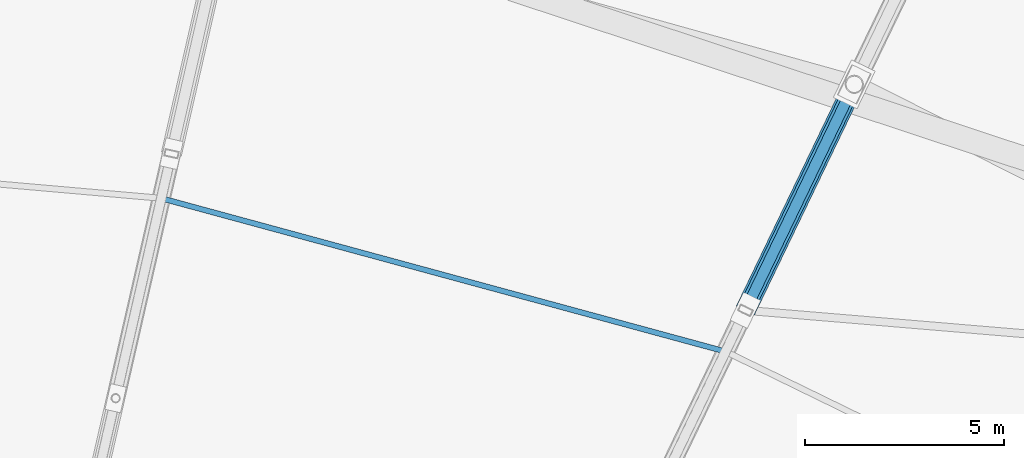
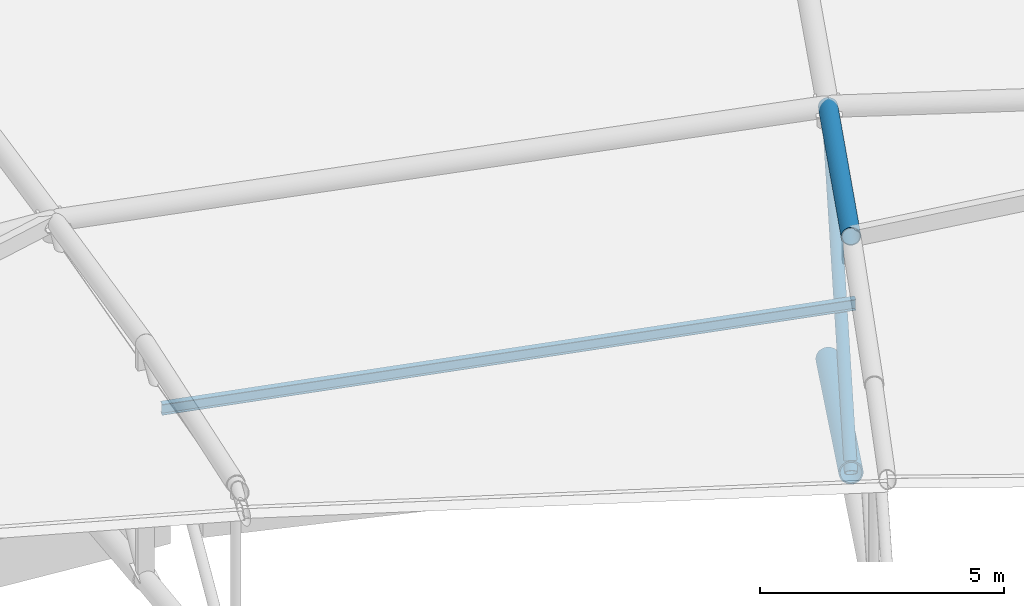
# One storey, part 58 of 108: 4 members.
"""IFC4 building model written with IfcOpenShell, lengths in metres."""

from ifc_helpers import new_model, si_unit, direction, frame, origin, origin_2d, place, context, subcontext, project, spatial, hollow_circle, i_section, extrude, material, material_profile, profile_set, type_object, element, save


model = new_model("IFC4")

# Units and contexts
model_context = context("Model", 3, precision=1e-05, world=origin(), true_north=direction((0.0, 1.0)))
body_context = subcontext(model_context, "Body", "Model", "MODEL_VIEW")
ifc_project = project(units=[si_unit("LENGTHUNIT", "METRE"), si_unit("AREAUNIT", "SQUARE_METRE"), si_unit("VOLUMEUNIT", "CUBIC_METRE"), si_unit("PLANEANGLEUNIT", "RADIAN"), si_unit("MASSUNIT", "GRAM", prefix="KILO")], contexts=[model_context])

# Site, building, storey
site_placement = place(None, origin())
site = spatial("IfcSite", under=ifc_project, at=site_placement, CompositionType="ELEMENT")
building_placement = place(site_placement, origin())
building = spatial("IfcBuilding", under=site, at=building_placement, Name="Zevraka Park Crest Stadium", CompositionType="ELEMENT")
storey_placement = place(building_placement, frame((0.0, 0.0, 29.39990234375)))
storey = spatial("IfcBuildingStorey", under=building, at=storey_placement, Name="RF", CompositionType="ELEMENT", Elevation=29.39990234375)

# Members
ifc_material_1 = material(Name="Steel S355", Category="steel")
ifc_material_profile_1 = material_profile(ifc_material_1, i_section(OverallWidth=0.135009765625, OverallDepth=0.27001953125, WebThickness=0.006591796875, FlangeThickness=0.01025390625, at=origin_2d()), Name="IPE 270")
ifc_profile_set_1 = profile_set([ifc_material_profile_1], Name="Steel S355")
member_type_1 = type_object("IfcMemberType", Name="PR04", PredefinedType="PURLIN", material=ifc_profile_set_1)
member_1_placement = place(storey_placement, frame((141.092041015625, 138.89599609375, 7.488037109375), z_axis=(-0.965023073694, 0.26216496188, 0.0), x_axis=(-0.26216496188, -0.965023073694, 0.0)))
element("IfcMember", 1, at=member_1_placement, inside=storey, type_object=member_type_1, Name="Canopy Roof Purlin PR04 OUTER-06-2", PredefinedType="PURLIN", context=body_context, shape_type="SweptSolid", body=[
    extrude(i_section(OverallWidth=0.135009765625, OverallDepth=0.27001953125, WebThickness=0.006591796875, FlangeThickness=0.01025390625, at=origin_2d()), origin(), (0.0, 0.0, 1.0), 14.685791015625),
])
ifc_material_2 = material(Name="Steel S355", Category="steel")
ifc_material_profile_2 = material_profile(ifc_material_2, hollow_circle(Radius=0.25390625, WallThickness=0.030029296875, at=origin_2d()), Name="CHS 508.0x30")
ifc_profile_set_2 = profile_set([ifc_material_profile_2], Name="Steel S355")
member_type_2 = type_object("IfcMemberType", Name="TC01", PredefinedType="CHORD", material=ifc_profile_set_2)
member_2_placement = place(storey_placement, frame((144.323974609375, 145.60791015625, 0.900146484375), z_axis=(-0.42125253648, -0.874906219459, 0.238925527435), x_axis=(0.901001108726, -0.433816783994, 0.0)))
element("IfcMember", 2, at=member_2_placement, inside=storey, type_object=member_type_2, Name="Roof Truss Bottom Chord TC01 T06-3", PredefinedType="CHORD", context=body_context, shape_type="SweptSolid", body=[
    extrude(hollow_circle(Radius=0.25390625, WallThickness=0.030029296875, at=origin_2d()), origin(), (0.0, 0.0, 1.0), 6.487548828125),
])
ifc_material_3 = material(Name="Steel S355", Category="steel")
ifc_material_profile_3 = material_profile(ifc_material_3, hollow_circle(Radius=0.203125, WallThickness=0.02001953125, at=origin_2d()), Name="CHS 406.4x20")
ifc_profile_set_3 = profile_set([ifc_material_profile_3], Name="Steel S355")
member_type_3 = type_object("IfcMemberType", Name="TC03", PredefinedType="CHORD", material=ifc_profile_set_3)
member_3_placement = place(storey_placement, frame((144.323974609375, 145.60791015625, 7.2001953125), z_axis=(-0.426765469753, -0.886356119911, 0.179566317897), x_axis=(0.901001108726, -0.433816783994, 0.0)))
element("IfcMember", 3, at=member_3_placement, inside=storey, type_object=member_type_3, Name="Roof Truss Top Chord TC03 T06-3", PredefinedType="CHORD", context=body_context, shape_type="SweptSolid", body=[
    extrude(hollow_circle(Radius=0.203125, WallThickness=0.02001953125, at=origin_2d()), origin(), (0.0, 0.0, 1.0), 6.40380859375),
])
ifc_material_4 = material(Name="Steel S355", Category="steel")
ifc_material_profile_4 = material_profile(ifc_material_4, hollow_circle(Radius=0.136474609375, WallThickness=0.012451171875, at=origin_2d()), Name="CHS 273.0x12.5")
ifc_profile_set_4 = profile_set([ifc_material_profile_4], Name="Steel S355")
member_type_4 = type_object("IfcMemberType", Name="WB01", PredefinedType="BRACE", material=ifc_profile_set_4)
member_4_placement = place(storey_placement, frame((141.591064453125, 139.931884765625, 2.4501953125), z_axis=(0.346386288521, 0.719415295857, 0.602044991019), x_axis=(-0.901001108726, 0.433816783994, 0.0)))
element("IfcMember", 4, at=member_4_placement, inside=storey, type_object=member_type_4, Name="Roof Truss Web Diagonal WB01 T06-3", PredefinedType="BRACE", context=body_context, shape_type="SweptSolid", body=[
    extrude(hollow_circle(Radius=0.136474609375, WallThickness=0.012451171875, at=origin_2d()), origin(), (0.0, 0.0, 1.0), 7.889892578125),
])

save(model, "model.ifc")
